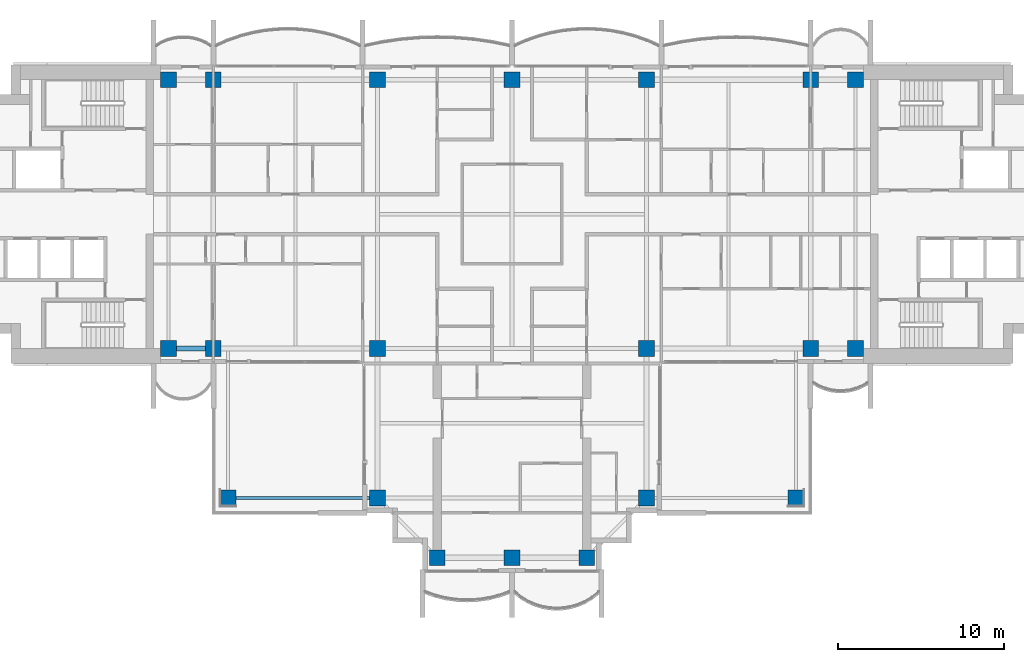
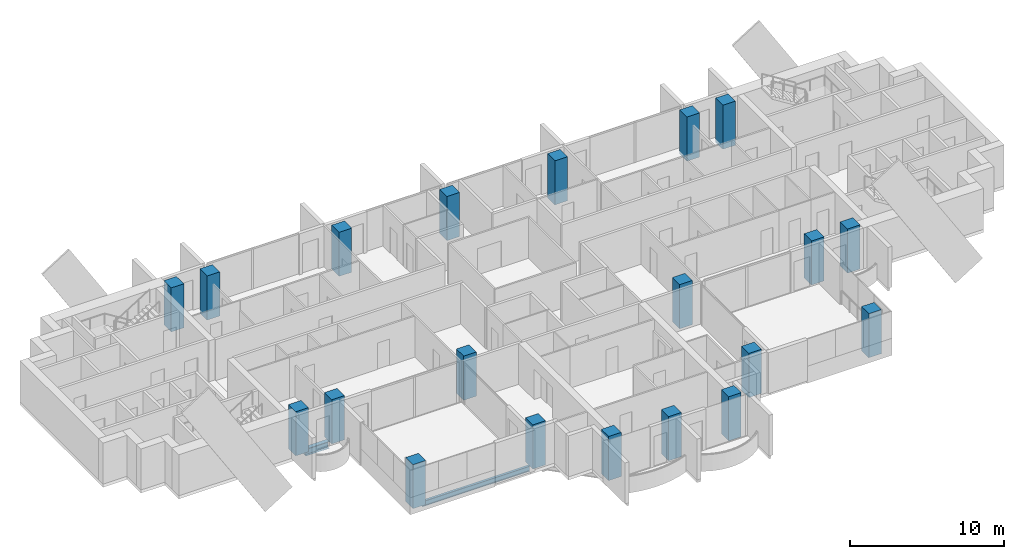
# One storey, part 1 of 18: 20 columns, 2 beams.
"""IFC4 building model written with IfcOpenShell, lengths in metres."""

from ifc_helpers import new_model, si_unit, direction, frame, origin, origin_2d, place, context, subcontext, project, spatial, rectangle, i_section, extrude, material, material_profile, profile_set, type_object, element, save


model = new_model("IFC4")

# Units and contexts
model_context = context("Model", 3, precision=1e-05, world=origin(), true_north=direction((0.0, 1.0)))
body_context = subcontext(model_context, "Body", "Model", "MODEL_VIEW")
ifc_project = project(units=[si_unit("LENGTHUNIT", "METRE"), si_unit("AREAUNIT", "SQUARE_METRE"), si_unit("VOLUMEUNIT", "CUBIC_METRE"), si_unit("PLANEANGLEUNIT", "RADIAN"), si_unit("MASSUNIT", "GRAM", prefix="KILO")], contexts=[model_context])

# Site, building, storey
site_placement = place(None, origin())
site = spatial("IfcSite", under=ifc_project, at=site_placement, CompositionType="ELEMENT")
building_placement = place(site_placement, origin())
building = spatial("IfcBuilding", under=site, at=building_placement, Name="Perihelion Cross Residences", CompositionType="ELEMENT")
storey_placement = place(building_placement, frame((0.0, 0.0, 177.10009765625)))
storey = spatial("IfcBuildingStorey", under=building, at=storey_placement, Name="L43", CompositionType="ELEMENT", Elevation=177.10009765625)

# Columns
ifc_material_1 = material(Name="Concrete C60/75", Category="concrete")
ifc_material_profile_1 = material_profile(ifc_material_1, rectangle(XDim=0.949951171875, YDim=0.949951171875, at=origin_2d()), Name="RC 950x950")
ifc_profile_set_1 = profile_set([ifc_material_profile_1], Name="Concrete C60/75")
column_type = type_object("IfcColumnType", Name="Reinforced concrete column 950x950 C60/75", PredefinedType="COLUMN", material=ifc_profile_set_1)
for number, where, z_axis, x_axis, name in (
    (1, (-20.699951171875, -8.10009765625, -0.25), (0.0, 0.0, 1.0), (1.0, 0.0, 0.0), "Column C017 L43 no. 1"),
    (2, (-20.699951171875, 8.10009765625, -0.25), (0.0, 0.0, 1.0), (1.0, 0.0, 0.0), "Column C010 L43 no. 1"),
    (3, (-18.0, -8.10009765625, -0.25), (0.0, 0.0, 1.0), (1.0, 0.0, 0.0), "Column C018 L43 no. 1"),
    (4, (-18.0, 8.10009765625, -0.25), (0.0, 0.0, 1.0), (1.0, 0.0, 0.0), "Column C011 L43 no. 1"),
    (5, (-8.10009765625, -17.10009765625, -0.25), (0.0, 0.0, 1.0), (1.0, 0.0, 0.0), "Column C031 L43 no. 1"),
    (6, (-8.10009765625, -8.10009765625, -0.25), (0.0, 0.0, 1.0), (1.0, 0.0, 0.0), "Column C019 L43 no. 1"),
    (7, (-8.10009765625, 8.10009765625, -0.25), (0.0, 0.0, 1.0), (1.0, 0.0, 0.0), "Column C012 L43 no. 1"),
    (8, (-4.5, -20.699951171875, -0.25), (0.0, 0.0, 1.0), (1.0, 0.0, 0.0), "Column C037 L43 no. 1"),
    (9, (0.0, -20.699951171875, -0.25), (0.0, 0.0, 1.0), (1.0, 0.0, 0.0), "Column C038 L43 no. 1"),
    (10, (0.0, 8.10009765625, -0.25), (0.0, 0.0, 1.0), (1.0, 0.0, 0.0), "Column C013 L43 no. 1"),
    (11, (4.5, -20.699951171875, -0.25), (0.0, 0.0, 1.0), (1.0, 0.0, 0.0), "Column C039 L43 no. 1"),
    (12, (8.10009765625, -17.10009765625, -0.25), (0.0, 0.0, 1.0), (1.0, 0.0, 0.0), "Column C035 L43 no. 1"),
    (13, (8.10009765625, -8.10009765625, -0.25), (0.0, 0.0, 1.0), (1.0, 0.0, 0.0), "Column C020 L43 no. 1"),
    (14, (8.10009765625, 8.10009765625, -0.25), (0.0, 0.0, 1.0), (1.0, 0.0, 0.0), "Column C014 L43 no. 1"),
    (15, (18.0, -8.10009765625, -0.25), (0.0, 0.0, 1.0), (1.0, 0.0, 0.0), "Column C021 L43 no. 1"),
    (16, (18.0, 8.10009765625, -0.25), (0.0, 0.0, 1.0), (1.0, 0.0, 0.0), "Column C015 L43 no. 1"),
    (17, (20.699951171875, -8.10009765625, -0.25), (0.0, 0.0, 1.0), (1.0, 0.0, 0.0), "Column C022 L43 no. 1"),
    (18, (20.699951171875, 8.10009765625, -0.25), (0.0, 0.0, 1.0), (1.0, 0.0, 0.0), "Column C016 L43 no. 1"),
    (19, (-17.10009765625, -17.10009765625, -0.25), (0.0, 0.0, 1.0), (1.0, 0.0, 0.0), "Column C030 L43 no. 1"),
    (20, (17.10009765625, -17.10009765625, -0.25), (0.0, 0.0, 1.0), (1.0, 0.0, 0.0), "Column C036 L43 no. 1"),
):
    element("IfcColumn", number, at=place(storey_placement, frame(where, z_axis=z_axis, x_axis=x_axis)), inside=storey, type_object=column_type, Name=name, PredefinedType="COLUMN", context=body_context, shape_type="SweptSolid", body=[
        extrude(rectangle(XDim=0.949951171875, YDim=0.949951171875, at=origin_2d()), origin(), (0.0, 0.0, 1.0), 3.5),
    ])

# Beams
ifc_material_2 = material(Name="Steel S355", Category="steel")
ifc_material_profile_2 = material_profile(ifc_material_2, i_section(OverallWidth=0.177978515625, OverallDepth=0.406005859375, WebThickness=0.0078125, FlangeThickness=0.0126953125, at=origin_2d()), Name="W410x60")
ifc_profile_set_2 = profile_set([ifc_material_profile_2], Name="Steel S355")
beam_type_1 = type_object("IfcBeamType", Name="Core edge beam W410x60", PredefinedType="BEAM", material=ifc_profile_set_2)
beam_1_placement = place(storey_placement, frame((-8.574951171875, -17.10009765625, -0.453125), z_axis=(-1.0, 0.0, 0.0), x_axis=(0.0, -1.0, 0.0)))
element("IfcBeam", 21, at=beam_1_placement, inside=storey, type_object=beam_type_1, Name="Core edge beam TB2 L43 corner no. 2", PredefinedType="BEAM", context=body_context, shape_type="SweptSolid", body=[
    extrude(i_section(OverallWidth=0.177978515625, OverallDepth=0.406005859375, WebThickness=0.0078125, FlangeThickness=0.0126953125, at=origin_2d()), origin(), (0.0, 0.0, 1.0), 8.050048828125),
])
ifc_material_3 = material(Name="Steel S355", Category="steel")
ifc_material_profile_3 = material_profile(ifc_material_3, i_section(OverallWidth=0.31201171875, OverallDepth=0.5439453125, WebThickness=0.0126953125, FlangeThickness=0.020263671875, at=origin_2d()), Name="W530x150")
ifc_profile_set_3 = profile_set([ifc_material_profile_3], Name="Steel S355")
beam_type_2 = type_object("IfcBeamType", Name="Edge beam W530x150", PredefinedType="SPANDREL", material=ifc_profile_set_3)
beam_2_placement = place(storey_placement, frame((-20.22509765625, -8.10009765625, -0.522216796875), z_axis=(1.0, 0.0, 0.0), x_axis=(0.0, 1.0, 0.0)))
element("IfcBeam", 22, at=beam_2_placement, inside=storey, type_object=beam_type_2, Name="Edge beam SB4 L43 no. 3", PredefinedType="SPANDREL", context=body_context, shape_type="SweptSolid", body=[
    extrude(i_section(OverallWidth=0.31201171875, OverallDepth=0.5439453125, WebThickness=0.0126953125, FlangeThickness=0.020263671875, at=origin_2d()), origin(), (0.0, 0.0, 1.0), 1.75),
])

save(model, "model.ifc")
